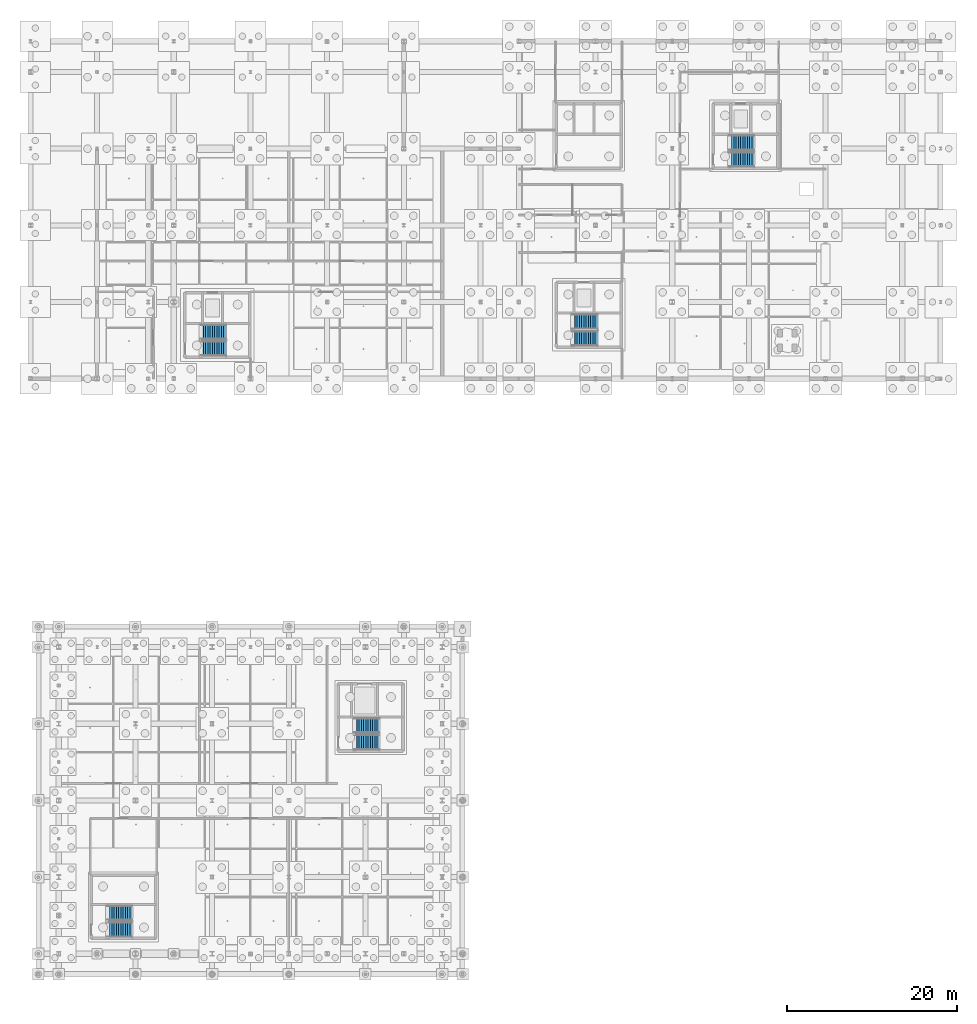
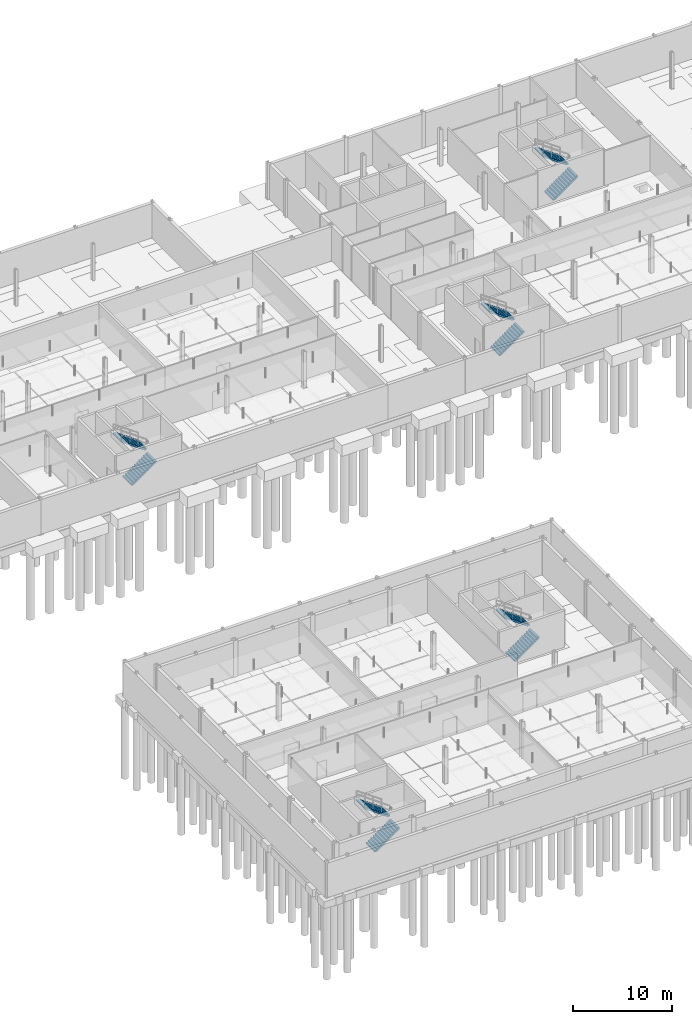
# One storey, part 27 of 48: 10 stair flights, 5 elements without a shape of their own.
"""IFC4 building model written with IfcOpenShell, lengths in metres."""

from ifc_helpers import new_model, si_unit, direction, frame, origin, place, context, subcontext, project, spatial, polyline, outline, extrude, material, type_object, element, aggregate, save


model = new_model("IFC4")

# Units and contexts
model_context = context("Model", 3, precision=1e-05, world=origin(), true_north=direction((0.0, 1.0)))
body_context = subcontext(model_context, "Body", "Model", "MODEL_VIEW")
ifc_project = project(units=[si_unit("LENGTHUNIT", "METRE"), si_unit("AREAUNIT", "SQUARE_METRE"), si_unit("VOLUMEUNIT", "CUBIC_METRE"), si_unit("PLANEANGLEUNIT", "RADIAN"), si_unit("MASSUNIT", "GRAM", prefix="KILO"), si_unit("THERMODYNAMICTEMPERATUREUNIT", "KELVIN"), si_unit("POWERUNIT", "WATT")], contexts=[model_context])

# Site, building, storey
site_placement = place(None, origin())
site = spatial("IfcSite", under=ifc_project, at=site_placement, CompositionType="ELEMENT")
building_placement = place(site_placement, origin())
building = spatial("IfcBuilding", under=site, at=building_placement, Name="Tallowbark Science Centre", CompositionType="ELEMENT")
storey_placement = place(building_placement, frame((0.0, 0.0, -4.5)))
storey = spatial("IfcBuildingStorey", under=building, at=storey_placement, Name="B1", CompositionType="ELEMENT", Elevation=-4.5)

# Stair, stair flights
ifc_material = material(Name="Concrete Grade N40 (40 MPa)", Category="concrete")
stair_type_1 = type_object("IfcStairType", Name="STR-C1", PredefinedType="HALF_TURN_STAIR", material=ifc_material)
stair_1_placement = place(storey_placement, origin())
stair_1 = element("IfcStair", 1, at=stair_1_placement, inside=storey, type_object=stair_type_1, Name="B1 Fire Stair ST-01", PredefinedType="HALF_TURN_STAIR")
stair_flight_type_1 = type_object("IfcStairFlightType", Name="SFL-C1", PredefinedType="STRAIGHT", material=ifc_material)
stair_flight_1_placement = place(storey_placement, frame((75.2099609375, 75.530029296875, 0.0), z_axis=(0.0, 0.0, 1.0), x_axis=(1.0, 0.0, 0.0)))
stair_flight_1 = element("IfcStairFlight", 2, at=stair_flight_1_placement, type_object=stair_flight_type_1, Name="ST-01 flight 1", NumberOfRisers=12, NumberOfTreads=11, PredefinedType="STRAIGHT", RiserHeight=0.1875, TreadLength=0.265, context=body_context, shape_type="SweptSolid", body=[
    extrude(outline(polyline([(0.0, 0.0), (0.0, 0.1875), (0.264892578125, 0.1875), (0.264892578125, 0.375), (0.530029296875, 0.375), (0.530029296875, 0.5625), (0.794921875, 0.5625), (0.794921875, 0.75), (1.06005859375, 0.75), (1.06005859375, 0.9375), (1.324951171875, 0.9375), (1.324951171875, 1.125), (1.590087890625, 1.125), (1.590087890625, 1.3125), (1.85498046875, 1.3125), (1.85498046875, 1.5), (2.1201171875, 1.5), (2.1201171875, 1.6875), (2.385009765625, 1.6875), (2.385009765625, 1.875), (2.64990234375, 1.875), (2.64990234375, 2.0625), (2.9150390625, 2.0625), (2.9150390625, 2.25), (2.9150390625, 1.87890625), (0.259521484375, 0.0), (0.0, 0.0)])), frame((0.0, 0.8798828125, 0.0), z_axis=(0.0, -1.0, 0.0), x_axis=(1.0, 0.0, 0.0)), (0.0, 0.0, 1.0), 1.760009765625),
])
stair_flight_2_placement = place(storey_placement, frame((78.125, 77.489990234375, 2.25), z_axis=(0.0, 0.0, 1.0), x_axis=(-1.0, 0.0, 0.0)))
stair_flight_2 = element("IfcStairFlight", 3, at=stair_flight_2_placement, type_object=stair_flight_type_1, Name="ST-01 flight 2", NumberOfRisers=12, NumberOfTreads=11, PredefinedType="STRAIGHT", RiserHeight=0.1875, TreadLength=0.265, context=body_context, shape_type="SweptSolid", body=[
    extrude(outline(polyline([(0.0, 0.0), (0.0, 0.1875), (0.264892578125, 0.1875), (0.264892578125, 0.375), (0.530029296875, 0.375), (0.530029296875, 0.5625), (0.794921875, 0.5625), (0.794921875, 0.75), (1.06005859375, 0.75), (1.06005859375, 0.9375), (1.324951171875, 0.9375), (1.324951171875, 1.125), (1.590087890625, 1.125), (1.590087890625, 1.3125), (1.85498046875, 1.3125), (1.85498046875, 1.5), (2.1201171875, 1.5), (2.1201171875, 1.6875), (2.385009765625, 1.6875), (2.385009765625, 1.875), (2.64990234375, 1.875), (2.64990234375, 2.0625), (2.9150390625, 2.0625), (2.9150390625, 2.25), (2.9150390625, 1.87890625), (0.259521484375, 0.0), (0.0, 0.0)])), frame((0.0, 0.8798828125, 0.0), z_axis=(0.0, -1.0, 0.0), x_axis=(1.0, 0.0, 0.0)), (0.0, 0.0, 1.0), 1.760009765625),
])
aggregate(stair_1, [stair_flight_1, stair_flight_2])

stair_type_2 = type_object("IfcStairType", Name="STR-C2", PredefinedType="HALF_TURN_STAIR", material=ifc_material)
stair_2_placement = place(storey_placement, origin())
stair_2 = element("IfcStair", 4, at=stair_2_placement, inside=storey, type_object=stair_type_2, Name="B1 Fire Stair ST-02", PredefinedType="HALF_TURN_STAIR")
stair_flight_type_2 = type_object("IfcStairFlightType", Name="SFL-C2", PredefinedType="STRAIGHT", material=ifc_material)
stair_flight_3_placement = place(storey_placement, frame((118.81005859375, 76.72998046875, 0.0), z_axis=(0.0, 0.0, 1.0), x_axis=(1.0, 0.0, 0.0)))
stair_flight_3 = element("IfcStairFlight", 5, at=stair_flight_3_placement, type_object=stair_flight_type_2, Name="ST-02 flight 1", NumberOfRisers=12, NumberOfTreads=11, PredefinedType="STRAIGHT", RiserHeight=0.1875, TreadLength=0.265, context=body_context, shape_type="SweptSolid", body=[
    extrude(outline(polyline([(0.0, 0.0), (0.0, 0.1875), (0.264892578125, 0.1875), (0.264892578125, 0.375), (0.530029296875, 0.375), (0.530029296875, 0.5625), (0.794921875, 0.5625), (0.794921875, 0.75), (1.06005859375, 0.75), (1.06005859375, 0.9375), (1.324951171875, 0.9375), (1.324951171875, 1.125), (1.590087890625, 1.125), (1.590087890625, 1.3125), (1.85498046875, 1.3125), (1.85498046875, 1.5), (2.1201171875, 1.5), (2.1201171875, 1.6875), (2.385009765625, 1.6875), (2.385009765625, 1.875), (2.64990234375, 1.875), (2.64990234375, 2.0625), (2.9150390625, 2.0625), (2.9150390625, 2.25), (2.9150390625, 1.87890625), (0.259521484375, 0.0), (0.0, 0.0)])), frame((0.0, 0.8798828125, 0.0), z_axis=(0.0, -1.0, 0.0), x_axis=(1.0, 0.0, 0.0)), (0.0, 0.0, 1.0), 1.760009765625),
])
stair_flight_4_placement = place(storey_placement, frame((121.72509765625, 78.68994140625, 2.25), z_axis=(0.0, 0.0, 1.0), x_axis=(-1.0, 0.0, 0.0)))
stair_flight_4 = element("IfcStairFlight", 6, at=stair_flight_4_placement, type_object=stair_flight_type_2, Name="ST-02 flight 2", NumberOfRisers=12, NumberOfTreads=11, PredefinedType="STRAIGHT", RiserHeight=0.1875, TreadLength=0.265, context=body_context, shape_type="SweptSolid", body=[
    extrude(outline(polyline([(0.0, 0.0), (0.0, 0.1875), (0.264892578125, 0.1875), (0.264892578125, 0.375), (0.530029296875, 0.375), (0.530029296875, 0.5625), (0.794921875, 0.5625), (0.794921875, 0.75), (1.06005859375, 0.75), (1.06005859375, 0.9375), (1.324951171875, 0.9375), (1.324951171875, 1.125), (1.590087890625, 1.125), (1.590087890625, 1.3125), (1.85498046875, 1.3125), (1.85498046875, 1.5), (2.1201171875, 1.5), (2.1201171875, 1.6875), (2.385009765625, 1.6875), (2.385009765625, 1.875), (2.64990234375, 1.875), (2.64990234375, 2.0625), (2.9150390625, 2.0625), (2.9150390625, 2.25), (2.9150390625, 1.87890625), (0.259521484375, 0.0), (0.0, 0.0)])), frame((0.0, 0.8798828125, 0.0), z_axis=(0.0, -1.0, 0.0), x_axis=(1.0, 0.0, 0.0)), (0.0, 0.0, 1.0), 1.760009765625),
])
aggregate(stair_2, [stair_flight_3, stair_flight_4])

stair_type_3 = type_object("IfcStairType", Name="STR-C3", PredefinedType="HALF_TURN_STAIR", material=ifc_material)
stair_3_placement = place(storey_placement, origin())
stair_3 = element("IfcStair", 7, at=stair_3_placement, inside=storey, type_object=stair_type_3, Name="B1 Fire Stair ST-03", PredefinedType="HALF_TURN_STAIR")
stair_flight_type_3 = type_object("IfcStairFlightType", Name="SFL-C3", PredefinedType="STRAIGHT", material=ifc_material)
stair_flight_5_placement = place(storey_placement, frame((93.2099609375, 29.330078125, 0.0), z_axis=(0.0, 0.0, 1.0), x_axis=(1.0, 0.0, 0.0)))
stair_flight_5 = element("IfcStairFlight", 8, at=stair_flight_5_placement, type_object=stair_flight_type_3, Name="ST-03 flight 1", NumberOfRisers=12, NumberOfTreads=11, PredefinedType="STRAIGHT", RiserHeight=0.1875, TreadLength=0.265, context=body_context, shape_type="SweptSolid", body=[
    extrude(outline(polyline([(0.0, 0.0), (0.0, 0.1875), (0.264892578125, 0.1875), (0.264892578125, 0.375), (0.530029296875, 0.375), (0.530029296875, 0.5625), (0.794921875, 0.5625), (0.794921875, 0.75), (1.06005859375, 0.75), (1.06005859375, 0.9375), (1.324951171875, 0.9375), (1.324951171875, 1.125), (1.590087890625, 1.125), (1.590087890625, 1.3125), (1.85498046875, 1.3125), (1.85498046875, 1.5), (2.1201171875, 1.5), (2.1201171875, 1.6875), (2.385009765625, 1.6875), (2.385009765625, 1.875), (2.64990234375, 1.875), (2.64990234375, 2.0625), (2.9150390625, 2.0625), (2.9150390625, 2.25), (2.9150390625, 1.87890625), (0.259521484375, 0.0), (0.0, 0.0)])), frame((0.0, 0.8798828125, 0.0), z_axis=(0.0, -1.0, 0.0), x_axis=(1.0, 0.0, 0.0)), (0.0, 0.0, 1.0), 1.760009765625),
])
stair_flight_6_placement = place(storey_placement, frame((96.125, 31.2900390625, 2.25), z_axis=(0.0, 0.0, 1.0), x_axis=(-1.0, 0.0, 0.0)))
stair_flight_6 = element("IfcStairFlight", 9, at=stair_flight_6_placement, type_object=stair_flight_type_3, Name="ST-03 flight 2", NumberOfRisers=12, NumberOfTreads=11, PredefinedType="STRAIGHT", RiserHeight=0.1875, TreadLength=0.265, context=body_context, shape_type="SweptSolid", body=[
    extrude(outline(polyline([(0.0, 0.0), (0.0, 0.1875), (0.264892578125, 0.1875), (0.264892578125, 0.375), (0.530029296875, 0.375), (0.530029296875, 0.5625), (0.794921875, 0.5625), (0.794921875, 0.75), (1.06005859375, 0.75), (1.06005859375, 0.9375), (1.324951171875, 0.9375), (1.324951171875, 1.125), (1.590087890625, 1.125), (1.590087890625, 1.3125), (1.85498046875, 1.3125), (1.85498046875, 1.5), (2.1201171875, 1.5), (2.1201171875, 1.6875), (2.385009765625, 1.6875), (2.385009765625, 1.875), (2.64990234375, 1.875), (2.64990234375, 2.0625), (2.9150390625, 2.0625), (2.9150390625, 2.25), (2.9150390625, 1.87890625), (0.259521484375, 0.0), (0.0, 0.0)])), frame((0.0, 0.8798828125, 0.0), z_axis=(0.0, -1.0, 0.0), x_axis=(1.0, 0.0, 0.0)), (0.0, 0.0, 1.0), 1.760009765625),
])
aggregate(stair_3, [stair_flight_5, stair_flight_6])

stair_type_4 = type_object("IfcStairType", Name="STR-C4", PredefinedType="HALF_TURN_STAIR", material=ifc_material)
stair_4_placement = place(storey_placement, origin())
stair_4 = element("IfcStair", 10, at=stair_4_placement, inside=storey, type_object=stair_type_4, Name="B1 Fire Stair ST-04", PredefinedType="HALF_TURN_STAIR")
stair_flight_type_4 = type_object("IfcStairFlightType", Name="SFL-C4", PredefinedType="STRAIGHT", material=ifc_material)
stair_flight_7_placement = place(storey_placement, frame((137.2099609375, 97.72998046875, 0.0), z_axis=(0.0, 0.0, 1.0), x_axis=(1.0, 0.0, 0.0)))
stair_flight_7 = element("IfcStairFlight", 11, at=stair_flight_7_placement, type_object=stair_flight_type_4, Name="ST-04 flight 1", NumberOfRisers=12, NumberOfTreads=11, PredefinedType="STRAIGHT", RiserHeight=0.1875, TreadLength=0.265, context=body_context, shape_type="SweptSolid", body=[
    extrude(outline(polyline([(0.0, 0.0), (0.0, 0.1875), (0.264892578125, 0.1875), (0.264892578125, 0.375), (0.530029296875, 0.375), (0.530029296875, 0.5625), (0.794921875, 0.5625), (0.794921875, 0.75), (1.06005859375, 0.75), (1.06005859375, 0.9375), (1.324951171875, 0.9375), (1.324951171875, 1.125), (1.590087890625, 1.125), (1.590087890625, 1.3125), (1.85498046875, 1.3125), (1.85498046875, 1.5), (2.1201171875, 1.5), (2.1201171875, 1.6875), (2.385009765625, 1.6875), (2.385009765625, 1.875), (2.64990234375, 1.875), (2.64990234375, 2.0625), (2.9150390625, 2.0625), (2.9150390625, 2.25), (2.9150390625, 1.87890625), (0.259521484375, 0.0), (0.0, 0.0)])), frame((0.0, 0.8798828125, 0.0), z_axis=(0.0, -1.0, 0.0), x_axis=(1.0, 0.0, 0.0)), (0.0, 0.0, 1.0), 1.760009765625),
])
stair_flight_8_placement = place(storey_placement, frame((140.125, 99.68994140625, 2.25), z_axis=(0.0, 0.0, 1.0), x_axis=(-1.0, 0.0, 0.0)))
stair_flight_8 = element("IfcStairFlight", 12, at=stair_flight_8_placement, type_object=stair_flight_type_4, Name="ST-04 flight 2", NumberOfRisers=12, NumberOfTreads=11, PredefinedType="STRAIGHT", RiserHeight=0.1875, TreadLength=0.265, context=body_context, shape_type="SweptSolid", body=[
    extrude(outline(polyline([(0.0, 0.0), (0.0, 0.1875), (0.264892578125, 0.1875), (0.264892578125, 0.375), (0.530029296875, 0.375), (0.530029296875, 0.5625), (0.794921875, 0.5625), (0.794921875, 0.75), (1.06005859375, 0.75), (1.06005859375, 0.9375), (1.324951171875, 0.9375), (1.324951171875, 1.125), (1.590087890625, 1.125), (1.590087890625, 1.3125), (1.85498046875, 1.3125), (1.85498046875, 1.5), (2.1201171875, 1.5), (2.1201171875, 1.6875), (2.385009765625, 1.6875), (2.385009765625, 1.875), (2.64990234375, 1.875), (2.64990234375, 2.0625), (2.9150390625, 2.0625), (2.9150390625, 2.25), (2.9150390625, 1.87890625), (0.259521484375, 0.0), (0.0, 0.0)])), frame((0.0, 0.8798828125, 0.0), z_axis=(0.0, -1.0, 0.0), x_axis=(1.0, 0.0, 0.0)), (0.0, 0.0, 1.0), 1.760009765625),
])
aggregate(stair_4, [stair_flight_7, stair_flight_8])

stair_type_5 = type_object("IfcStairType", Name="STR-C7", PredefinedType="HALF_TURN_STAIR", material=ifc_material)
stair_5_placement = place(storey_placement, origin())
stair_5 = element("IfcStair", 13, at=stair_5_placement, inside=storey, type_object=stair_type_5, Name="B1 Fire Stair ST-07", PredefinedType="HALF_TURN_STAIR")
stair_flight_type_5 = type_object("IfcStairFlightType", Name="SFL-C7", PredefinedType="STRAIGHT", material=ifc_material)
stair_flight_9_placement = place(storey_placement, frame((64.2099609375, 7.330078125, 0.0), z_axis=(0.0, 0.0, 1.0), x_axis=(1.0, 0.0, 0.0)))
stair_flight_9 = element("IfcStairFlight", 14, at=stair_flight_9_placement, type_object=stair_flight_type_5, Name="ST-07 flight 1", NumberOfRisers=12, NumberOfTreads=11, PredefinedType="STRAIGHT", RiserHeight=0.1875, TreadLength=0.265, context=body_context, shape_type="SweptSolid", body=[
    extrude(outline(polyline([(0.0, 0.0), (0.0, 0.1875), (0.264892578125, 0.1875), (0.264892578125, 0.375), (0.530029296875, 0.375), (0.530029296875, 0.5625), (0.794921875, 0.5625), (0.794921875, 0.75), (1.06005859375, 0.75), (1.06005859375, 0.9375), (1.324951171875, 0.9375), (1.324951171875, 1.125), (1.590087890625, 1.125), (1.590087890625, 1.3125), (1.85498046875, 1.3125), (1.85498046875, 1.5), (2.1201171875, 1.5), (2.1201171875, 1.6875), (2.385009765625, 1.6875), (2.385009765625, 1.875), (2.64990234375, 1.875), (2.64990234375, 2.0625), (2.9150390625, 2.0625), (2.9150390625, 2.25), (2.9150390625, 1.87890625), (0.259521484375, 0.0), (0.0, 0.0)])), frame((0.0, 0.8798828125, 0.0), z_axis=(0.0, -1.0, 0.0), x_axis=(1.0, 0.0, 0.0)), (0.0, 0.0, 1.0), 1.760009765625),
])
stair_flight_10_placement = place(storey_placement, frame((67.125, 9.2900390625, 2.25), z_axis=(0.0, 0.0, 1.0), x_axis=(-1.0, 0.0, 0.0)))
stair_flight_10 = element("IfcStairFlight", 15, at=stair_flight_10_placement, type_object=stair_flight_type_5, Name="ST-07 flight 2", NumberOfRisers=12, NumberOfTreads=11, PredefinedType="STRAIGHT", RiserHeight=0.1875, TreadLength=0.265, context=body_context, shape_type="SweptSolid", body=[
    extrude(outline(polyline([(0.0, 0.0), (0.0, 0.1875), (0.264892578125, 0.1875), (0.264892578125, 0.375), (0.530029296875, 0.375), (0.530029296875, 0.5625), (0.794921875, 0.5625), (0.794921875, 0.75), (1.06005859375, 0.75), (1.06005859375, 0.9375), (1.324951171875, 0.9375), (1.324951171875, 1.125), (1.590087890625, 1.125), (1.590087890625, 1.3125), (1.85498046875, 1.3125), (1.85498046875, 1.5), (2.1201171875, 1.5), (2.1201171875, 1.6875), (2.385009765625, 1.6875), (2.385009765625, 1.875), (2.64990234375, 1.875), (2.64990234375, 2.0625), (2.9150390625, 2.0625), (2.9150390625, 2.25), (2.9150390625, 1.87890625), (0.259521484375, 0.0), (0.0, 0.0)])), frame((0.0, 0.8798828125, 0.0), z_axis=(0.0, -1.0, 0.0), x_axis=(1.0, 0.0, 0.0)), (0.0, 0.0, 1.0), 1.760009765625),
])
aggregate(stair_5, [stair_flight_9, stair_flight_10])

save(model, "model.ifc")
